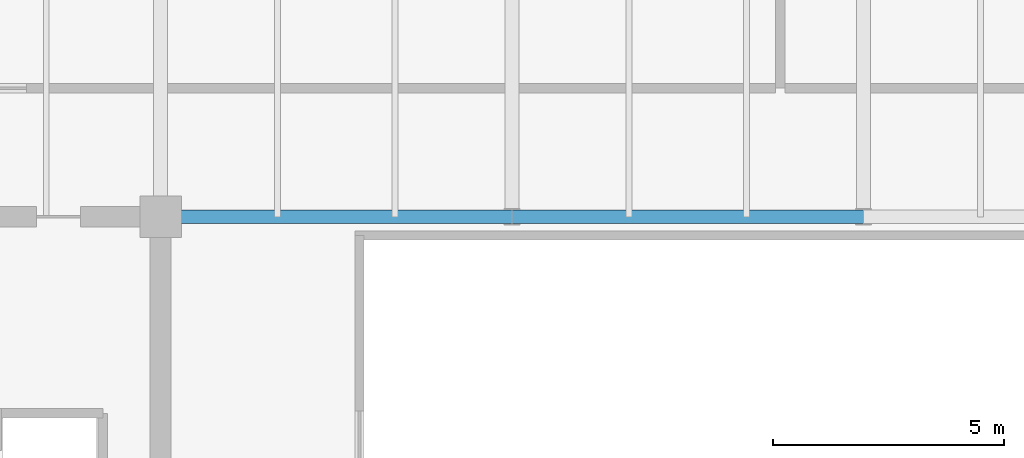
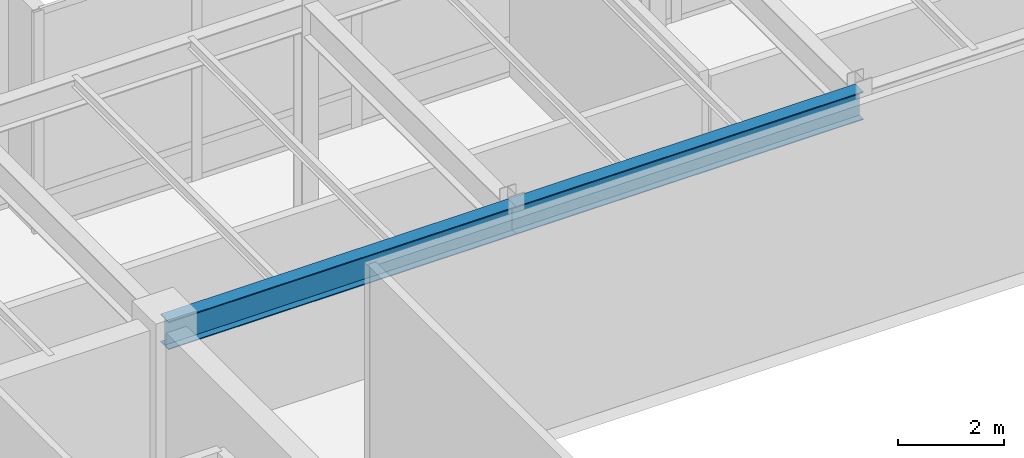
# One storey, part 12 of 30: 2 beams.
"""IFC4 building model written with IfcOpenShell, lengths in metres."""

from ifc_helpers import new_model, si_unit, direction, frame, origin, origin_2d, place, context, subcontext, project, spatial, i_section, extrude, source, transform, mapped, material, material_profile, profile_set, type_object, type_shapes, element, save


model = new_model("IFC4")

# Units and contexts
model_context = context("Model", 3, precision=1e-05, world=origin(), true_north=direction((0.0, 1.0)))
body_context = subcontext(model_context, "Body", "Model", "MODEL_VIEW")
ifc_project = project(units=[si_unit("LENGTHUNIT", "METRE"), si_unit("AREAUNIT", "SQUARE_METRE"), si_unit("VOLUMEUNIT", "CUBIC_METRE"), si_unit("PLANEANGLEUNIT", "RADIAN"), si_unit("MASSUNIT", "GRAM", prefix="KILO")], contexts=[model_context])

# Site, building, storey
site_placement = place(None, origin())
site = spatial("IfcSite", under=ifc_project, at=site_placement, CompositionType="ELEMENT")
building_placement = place(site_placement, origin())
building = spatial("IfcBuilding", under=site, at=building_placement, Name="Haelvirn Gate Laboratories", CompositionType="ELEMENT")
storey_placement = place(building_placement, frame((0.0, 0.0, 332.39990234375)))
storey = spatial("IfcBuildingStorey", under=building, at=storey_placement, Name="L79", CompositionType="ELEMENT", Elevation=332.39990234375)

# Beams
ifc_material = material(Name="Steel SM355", Category="steel")
ifc_material_profile = material_profile(ifc_material, i_section(OverallWidth=0.300048828125, OverallDepth=0.64990234375, WebThickness=0.012939453125, FlangeThickness=0.02197265625, at=origin_2d()), Name="H-650x300x13x22")
ifc_profile_set = profile_set([ifc_material_profile], Name="Steel SM355")
beam_type = type_object("IfcBeamType", Name="BM-G-650", PredefinedType="BEAM", material=ifc_profile_set)
shared_shape_1 = source(origin(), body_context, "Body", "SweptSolid", [
    extrude(i_section(OverallWidth=0.300048828125, OverallDepth=0.64990234375, WebThickness=0.012939453125, FlangeThickness=0.02197265625, at=origin_2d()), origin(), (0.0, 0.0, 1.0), 7.60009765625),
])
beam_1_placement = place(storey_placement, frame((22.199951171875, 33.800048828125, 4.795166015625), z_axis=(1.0, 0.0, 0.0), x_axis=(0.0, 1.0, 0.0)))
element("IfcBeam", 1, at=beam_1_placement, inside=storey, type_object=beam_type, Name="L79 Primary Girder Y33.8 (22.2-29.8)", PredefinedType="BEAM", context=body_context, shape_type="MappedRepresentation", body=[
    mapped(shared_shape_1, transform((0.0, 0.0, 0.0), scale=1.0)),
])
shared_shape_2 = source(origin(), body_context, "Body", "SweptSolid", [
    extrude(i_section(OverallWidth=0.300048828125, OverallDepth=0.64990234375, WebThickness=0.012939453125, FlangeThickness=0.02197265625, at=origin_2d()), origin(), (0.0, 0.0, 1.0), 7.599853515625),
])
type_shapes(beam_type, [shared_shape_1, shared_shape_2])
beam_2_placement = place(storey_placement, frame((29.800048828125, 33.800048828125, 4.795166015625), z_axis=(1.0, 0.0, 0.0), x_axis=(0.0, 1.0, 0.0)))
element("IfcBeam", 2, at=beam_2_placement, inside=storey, type_object=beam_type, Name="L79 Primary Girder Y33.8 (29.8-37.4)", PredefinedType="BEAM", context=body_context, shape_type="MappedRepresentation", body=[
    mapped(shared_shape_2, transform((0.0, 0.0, 0.0), scale=1.0)),
])

save(model, "model.ifc")
